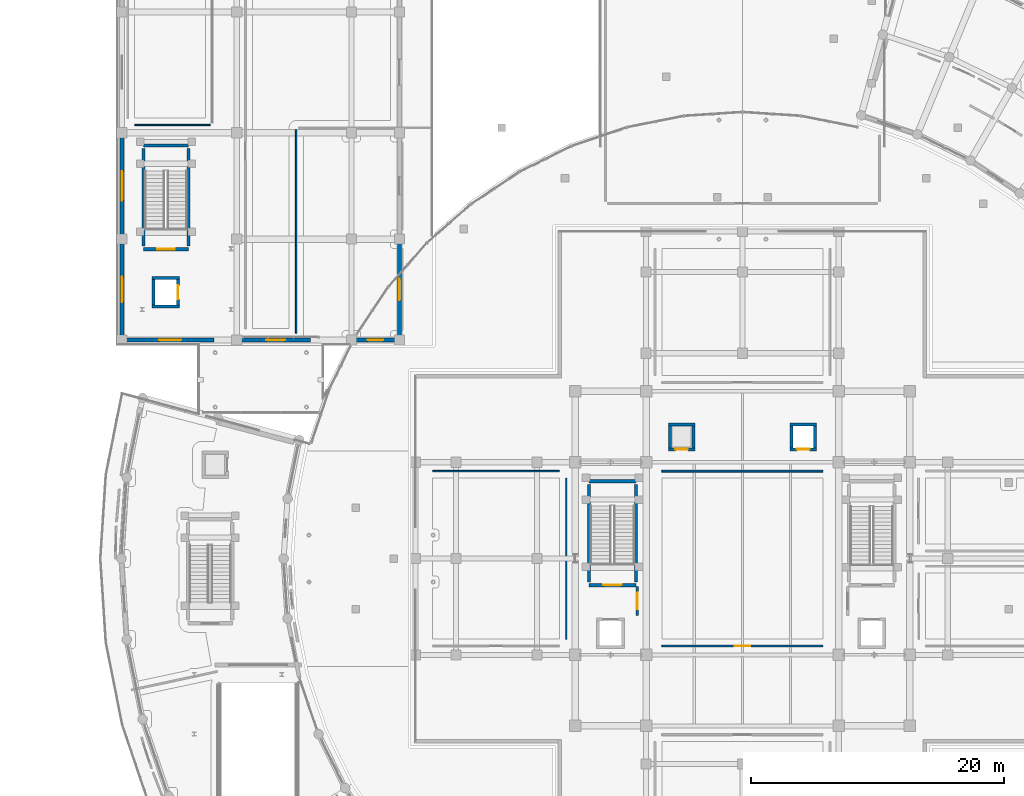
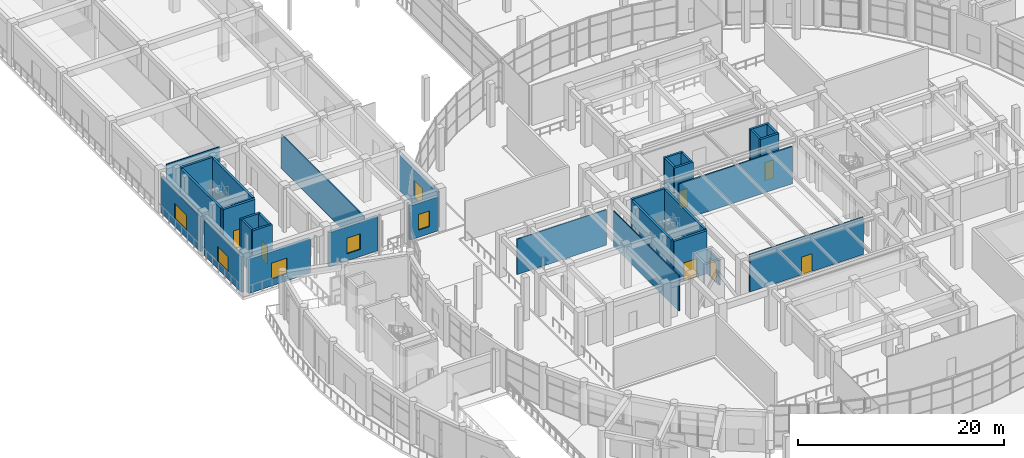
# One storey, part 70 of 99: 33 walls, 7 doors, 6 windows, 13 openings.
"""IFC4 building model written with IfcOpenShell, lengths in metres."""

import ifcopenshell
import ifcopenshell.guid

model = None  # the IFC model being written
_history = None  # IfcOwnerHistory: only IFC2X3 demands one
_inside = {}  # id of a spatial element -> (the spatial element, [elements in it])
_under = {}  # id of a project, library or spatial element -> (it, [spatial elements below it])
_declared = {}  # id of a project -> (the project, [libraries it declares])
_typed = {}  # id of a type object -> (the type object, [elements of that type])
_made_of = {}  # id of a material, layer set ... -> (it, [elements and type objects made of it])


def new_model(schema):
    """Start an empty IFC model of exactly this schema.

    Asked for "IFC4X3", IfcOpenShell would pick the latest addendum, in which some entities
    have other attributes; the version numbers below select the first issue.
    IFC2X3 requires an IfcOwnerHistory on every rooted entity: one is made here for all.
    """
    global model, _history
    if schema == "IFC4X3":
        model = ifcopenshell.file(schema_version=(4, 3, 0, 0))
    else:
        model = ifcopenshell.file(schema=schema)
    _inside.clear()
    _under.clear()
    _declared.clear()
    _typed.clear()
    _made_of.clear()
    _history = None
    if model.schema == "IFC2X3":
        org = make("IfcOrganization", Name="unknown")
        user = make(
            "IfcPersonAndOrganization",
            ThePerson=make("IfcPerson", FamilyName="unknown"),
            TheOrganization=org,
        )
        app = make(
            "IfcApplication",
            ApplicationDeveloper=org,
            Version="unknown",
            ApplicationFullName="unknown",
            ApplicationIdentifier="unknown",
        )
        _history = make(
            "IfcOwnerHistory",
            OwningUser=user,
            OwningApplication=app,
            ChangeAction="ADDED",
            CreationDate=0,
        )
    return model


def make(cls, **values):
    """One entity of the class cls with the attributes given. An attribute that is None is left unset."""
    return model.create_entity(
        cls, **{name: value for name, value in values.items() if value is not None}
    )


def rooted(cls, **values):
    """An entity with a GlobalId (a new one), such as an element, a storey or a relation."""
    return make(cls, GlobalId=ifcopenshell.guid.new(), OwnerHistory=_history, **values)


def si_unit(unit_type, name, prefix=None):
    """IfcSIUnit, for example si_unit("LENGTHUNIT", "METRE", prefix="MILLI")."""
    return make("IfcSIUnit", UnitType=unit_type, Prefix=prefix, Name=name)


def assignment(units):
    """IfcUnitAssignment: the units of a project."""
    return None if units is None else make("IfcUnitAssignment", Units=units)


def point(xyz):
    """IfcCartesianPoint."""
    return None if xyz is None else make("IfcCartesianPoint", Coordinates=xyz)


def direction(xyz):
    """IfcDirection."""
    return None if xyz is None else make("IfcDirection", DirectionRatios=xyz)


def frame(location, z_axis=None, x_axis=None):
    """IfcAxis2Placement3D, a coordinate frame: its origin and axes. An axis left out is left unset."""
    return make(
        "IfcAxis2Placement3D",
        Location=point(location),
        Axis=direction(z_axis),
        RefDirection=direction(x_axis),
    )


def frame_2d(location, x_axis=None):
    """IfcAxis2Placement2D, a coordinate frame in the plane: its origin and x axis."""
    return make(
        "IfcAxis2Placement2D", Location=point(location), RefDirection=direction(x_axis)
    )


def origin():
    """The frame at (0, 0, 0) with its axes left unset."""
    return frame((0.0, 0.0, 0.0))


def place(relative_to, where):
    """IfcLocalPlacement: puts the frame where relative to a parent placement (None: the world)."""
    return make(
        "IfcLocalPlacement", PlacementRelTo=relative_to, RelativePlacement=where
    )


def context(
    kind, dimensions, precision=None, world=None, true_north=None, identifier=None
):
    """IfcGeometricRepresentationContext, for example the 3D "Model" context."""
    return make(
        "IfcGeometricRepresentationContext",
        ContextIdentifier=identifier,
        ContextType=kind,
        CoordinateSpaceDimension=dimensions,
        Precision=precision,
        WorldCoordinateSystem=world,
        TrueNorth=true_north,
    )


def subcontext(parent, identifier, kind, view, scale=None):
    """IfcGeometricRepresentationSubContext, for example "Body" below "Model"."""
    return make(
        "IfcGeometricRepresentationSubContext",
        ContextIdentifier=identifier,
        ContextType=kind,
        ParentContext=parent,
        TargetScale=scale,
        TargetView=view,
    )


def project(units=None, contexts=None):
    """IfcProject with its units and contexts."""
    return rooted(
        "IfcProject",
        Name="project",
        RepresentationContexts=contexts,
        UnitsInContext=assignment(units),
    )


def spatial(cls, under=None, at=None, **own):
    """A site, building, storey or space (cls), placed at a placement, below another one or the project."""
    s = rooted(cls, ObjectPlacement=at, **own)
    if under is not None:
        _under.setdefault(under.id(), (under, []))[1].append(s)
    return s


def profile(cls, at=None, kind="AREA", **sizes):
    """A parametric profile (cls). Its sizes go by their IFC names, for example OverallWidth=200.0."""
    return make(cls, ProfileType=kind, Position=at, **sizes)


def rectangle(**sizes):
    """IfcRectangleProfileDef."""
    return profile("IfcRectangleProfileDef", **sizes)


def extrude(swept, where, along, depth):
    """IfcExtrudedAreaSolid: the profile swept, set in the frame where, extruded along a direction by depth."""
    return make(
        "IfcExtrudedAreaSolid",
        SweptArea=swept,
        Position=where,
        ExtrudedDirection=direction(along),
        Depth=depth,
    )


def shape(context_of_items, identifier, shape_type, items):
    """IfcShapeRepresentation: the items that make up one representation, for example the "Body"."""
    return make(
        "IfcShapeRepresentation",
        ContextOfItems=context_of_items,
        RepresentationIdentifier=identifier,
        RepresentationType=shape_type,
        Items=items,
    )


def material(Name=None, Category=None):
    """IfcMaterial."""
    return make("IfcMaterial", Name=Name, Category=Category)


def layer(
    of_material, thickness, ventilated=None, Name=None, Category=None, Priority=None
):
    """IfcMaterialLayer: one layer of a wall or slab, of a material (None: an air gap)."""
    return make(
        "IfcMaterialLayer",
        Material=of_material,
        LayerThickness=thickness,
        IsVentilated=ventilated,
        Name=Name,
        Category=Category,
        Priority=Priority,
    )


def layer_set(layers, Name=None):
    """IfcMaterialLayerSet."""
    return make("IfcMaterialLayerSet", MaterialLayers=layers, LayerSetName=Name)


def made_of(thing, what):
    """Note that an element or type object is made of a material, layer set ...; save() writes the relation."""
    if what is not None:
        _made_of.setdefault(what.id(), (what, []))[1].append(thing)
    return thing


def type_object(cls, material=None, **own):
    """A type object (cls), such as IfcWallType, which elements share."""
    return made_of(rooted(cls, **own), material)


def element(
    cls,
    number,
    at=None,
    inside=None,
    cuts=None,
    type_object=None,
    material=None,
    context=None,
    identifier="Body",
    shape_type=None,
    held_by="IfcProductDefinitionShape",
    body=None,
    shapes=None,
    **own,
):
    """One element of the class cls, such as IfcWall. Its Tag is "e" and its number.

    at: its placement. inside: the storey or other place that contains it. cuts: it is an
    opening in that element (IfcRelVoidsElement). A single representation is given by context,
    identifier, shape_type and body (its items); several are given by shapes. held_by: the class
    of the entity that holds the representations. save() writes the other relations.
    """
    e = rooted(cls, Tag="e%d" % number, ObjectPlacement=at, **own)
    if body is not None:
        shapes = [shape(context, identifier, shape_type, body)]
    if shapes is not None:
        e.Representation = make(held_by, Representations=shapes)
    if inside is not None:
        _inside.setdefault(inside.id(), (inside, []))[1].append(e)
    if cuts is not None:
        rooted(
            "IfcRelVoidsElement", RelatingBuildingElement=cuts, RelatedOpeningElement=e
        )
    if type_object is not None:
        _typed.setdefault(type_object.id(), (type_object, []))[1].append(e)
    return made_of(e, material)


def fill(opening, filler):
    """IfcRelFillsElement: the door or window that sits in an opening."""
    return rooted(
        "IfcRelFillsElement",
        RelatingOpeningElement=opening,
        RelatedBuildingElement=filler,
    )


def aggregate(whole, parts):
    """IfcRelAggregates: a whole, such as a stair, and the parts it consists of."""
    return rooted("IfcRelAggregates", RelatingObject=whole, RelatedObjects=parts)


def save(model, path):
    """Write the relations noted so far, then the file.

    IfcRelAggregates (storeys below a building ...), IfcRelContainedInSpatialStructure (elements
    in a storey), IfcRelDefinesByType, IfcRelAssociatesMaterial and IfcRelDeclares: one each for
    every whole, place, type object, material and project.
    """
    for whole, parts in _under.values():
        aggregate(whole, parts)
    for where, things in _inside.values():
        rooted(
            "IfcRelContainedInSpatialStructure",
            RelatedElements=things,
            RelatingStructure=where,
        )
    for kind, things in _typed.values():
        rooted("IfcRelDefinesByType", RelatedObjects=things, RelatingType=kind)
    for what, things in _made_of.values():
        rooted("IfcRelAssociatesMaterial", RelatedObjects=things, RelatingMaterial=what)
    for by, libraries in _declared.values():
        rooted("IfcRelDeclares", RelatingContext=by, RelatedDefinitions=libraries)
    model.write(path)


model = new_model("IFC4")

# Units and contexts
model_context = context("Model", 3, precision=1e-05, world=origin(), true_north=direction((0.0, 1.0)))
body_context = subcontext(model_context, "Body", "Model", "MODEL_VIEW")
ifc_project = project(units=[si_unit("LENGTHUNIT", "METRE"), si_unit("AREAUNIT", "SQUARE_METRE"), si_unit("VOLUMEUNIT", "CUBIC_METRE"), si_unit("PLANEANGLEUNIT", "RADIAN"), si_unit("MASSUNIT", "GRAM", prefix="KILO")], contexts=[model_context])

# Site, building, storey
site_placement = place(None, origin())
site = spatial("IfcSite", under=ifc_project, at=site_placement, CompositionType="ELEMENT")
building_placement = place(site_placement, origin())
building = spatial("IfcBuilding", under=site, at=building_placement, Name="Saryqyr Civic Hall", CompositionType="ELEMENT")
storey_placement = place(building_placement, origin())
storey = spatial("IfcBuildingStorey", under=building, at=storey_placement, Name="L00", CompositionType="ELEMENT", Elevation=0.0)

# Wall, opening, window
ifc_material_1 = material(Name="Precast concrete C40/50", Category="concrete")
ifc_layer_1 = layer(ifc_material_1, 0.31005859375, Name="Precast concrete C40/50")
ifc_layer_set_1 = layer_set([ifc_layer_1], Name="Precast concrete C40/50")
wall_type_1 = type_object("IfcWallType", Name="ENV-WAL-EXT-310", PredefinedType="STANDARD", material=ifc_layer_set_1)
wall_1_placement = place(storey_placement, frame((29.614990234375, 101.25, 0.0), z_axis=(0.0, 0.0, 1.0), x_axis=(-1.0, 0.0, 0.0)))
wall_1 = element("IfcWall", 1, at=wall_1_placement, inside=storey, type_object=wall_type_1, Name="Exterior wall V3-EW-L00-0-0", PredefinedType="STANDARD", context=body_context, shape_type="SweptSolid", body=[
    extrude(rectangle(XDim=3.1298828125, YDim=0.31005859375, at=frame_2d((1.56494140625, 0.0))), origin(), (0.0, 0.0, 1.0), 4.044921875),
])
opening_1_placement = place(wall_1_placement, frame((0.93994140625, 0.0, 0.85009765625)))
opening_1 = element("IfcOpeningElement", 2, at=opening_1_placement, cuts=wall_1, Name="Opening W-25", PredefinedType="OPENING", context=body_context, shape_type="SweptSolid", body=[
    extrude(rectangle(XDim=1.25, YDim=1.85009765625, at=frame_2d((0.625, 0.925048828125))), frame((0.0, 0.1650390625, 0.0), z_axis=(0.0, -1.0, 0.0), x_axis=(1.0, 0.0, 0.0)), (0.0, 0.0, 1.0), 0.330078125),
])
ifc_material_2 = material(Name="Anodised aluminium and triple low-E glass", Category="aluminium")
window_type_1 = type_object("IfcWindowType", Name="ENV-WIN-W25", PartitioningType="SINGLE_PANEL", PredefinedType="WINDOW", material=ifc_material_2)
window_1_placement = place(opening_1_placement, origin())
window_1 = element("IfcWindow", 3, at=window_1_placement, inside=storey, type_object=window_type_1, Name="Library window L00-0-0", OverallHeight=1.85009765625, OverallWidth=1.25, PartitioningType="SINGLE_PANEL", PredefinedType="WINDOW", context=body_context, shape_type="SweptSolid", body=[
    extrude(rectangle(XDim=1.25, YDim=1.85009765625, at=frame_2d((0.625, 0.925048828125))), frame((0.0, 0.030029296875, 0.0), z_axis=(0.0, -1.0, 0.0), x_axis=(1.0, 0.0, 0.0)), (0.0, 0.0, 1.0), 0.06005859375),
])
fill(opening_1, window_1)

wall_2_placement = place(storey_placement, frame((22.919921875, 101.25, 0.0), z_axis=(0.0, 0.0, 1.0), x_axis=(-1.0, 0.0, 0.0)))
wall_2 = element("IfcWall", 4, at=wall_2_placement, inside=storey, type_object=wall_type_1, Name="Exterior wall V3-EW-L00-0-1", PredefinedType="STANDARD", context=body_context, shape_type="SweptSolid", body=[
    extrude(rectangle(XDim=5.48486328125, YDim=0.31005859375, at=frame_2d((2.742431640625, 0.0))), origin(), (0.0, 0.0, 1.0), 4.044921875),
])
opening_2_placement = place(wall_2_placement, frame((1.992919921875, 0.0, 0.85009765625)))
opening_2 = element("IfcOpeningElement", 5, at=opening_2_placement, cuts=wall_2, Name="Opening W-26", PredefinedType="OPENING", context=body_context, shape_type="SweptSolid", body=[
    extrude(rectangle(XDim=1.5, YDim=1.85009765625, at=frame_2d((0.75, 0.925048828125))), frame((0.0, 0.1650390625, 0.0), z_axis=(0.0, -1.0, 0.0), x_axis=(1.0, 0.0, 0.0)), (0.0, 0.0, 1.0), 0.330078125),
])
window_type_2 = type_object("IfcWindowType", Name="ENV-WIN-W26", PartitioningType="SINGLE_PANEL", PredefinedType="WINDOW", material=ifc_material_2)
window_2_placement = place(opening_2_placement, origin())
window_2 = element("IfcWindow", 6, at=window_2_placement, inside=storey, type_object=window_type_2, Name="Library window L00-0-1", OverallHeight=1.85009765625, OverallWidth=1.5, PartitioningType="SINGLE_PANEL", PredefinedType="WINDOW", context=body_context, shape_type="SweptSolid", body=[
    extrude(rectangle(XDim=1.5, YDim=1.85009765625, at=frame_2d((0.75, 0.925048828125))), frame((0.0, 0.030029296875, 0.0), z_axis=(0.0, -1.0, 0.0), x_axis=(1.0, 0.0, 0.0)), (0.0, 0.0, 1.0), 0.06005859375),
])
fill(opening_2, window_2)

wall_3_placement = place(storey_placement, frame((15.320068359375, 101.25, 0.0), z_axis=(0.0, 0.0, 1.0), x_axis=(-1.0, 0.0, 0.0)))
wall_3 = element("IfcWall", 7, at=wall_3_placement, inside=storey, type_object=wall_type_1, Name="Exterior wall V3-EW-L00-0-2", PredefinedType="STANDARD", context=body_context, shape_type="SweptSolid", body=[
    extrude(rectangle(XDim=6.93505859375, YDim=0.31005859375, at=frame_2d((3.467529296875, 0.0))), origin(), (0.0, 0.0, 1.0), 4.044921875),
])
opening_3_placement = place(wall_3_placement, frame((2.593017578125, 0.0, 0.85009765625)))
opening_3 = element("IfcOpeningElement", 8, at=opening_3_placement, cuts=wall_3, Name="Opening W-27", PredefinedType="OPENING", context=body_context, shape_type="SweptSolid", body=[
    extrude(rectangle(XDim=1.75, YDim=1.85009765625, at=frame_2d((0.875, 0.925048828125))), frame((0.0, 0.1650390625, 0.0), z_axis=(0.0, -1.0, 0.0), x_axis=(1.0, 0.0, 0.0)), (0.0, 0.0, 1.0), 0.330078125),
])
window_type_3 = type_object("IfcWindowType", Name="ENV-WIN-W27", PartitioningType="SINGLE_PANEL", PredefinedType="WINDOW", material=ifc_material_2)
window_3_placement = place(opening_3_placement, origin())
window_3 = element("IfcWindow", 9, at=window_3_placement, inside=storey, type_object=window_type_3, Name="Library window L00-0-2", OverallHeight=1.85009765625, OverallWidth=1.75, PartitioningType="SINGLE_PANEL", PredefinedType="WINDOW", context=body_context, shape_type="SweptSolid", body=[
    extrude(rectangle(XDim=1.75, YDim=1.85009765625, at=frame_2d((0.875, 0.925048828125))), frame((0.0, 0.030029296875, 0.0), z_axis=(0.0, -1.0, 0.0), x_axis=(1.0, 0.0, 0.0)), (0.0, 0.0, 1.0), 0.06005859375),
])
fill(opening_3, window_3)

wall_4_placement = place(storey_placement, frame((29.949951171875, 108.864990234375, 0.0), z_axis=(0.0, 0.0, 1.0), x_axis=(0.0, -1.0, 0.0)))
wall_4 = element("IfcWall", 10, at=wall_4_placement, inside=storey, type_object=wall_type_1, Name="Exterior wall V3-EW-L00-1-6", PredefinedType="STANDARD", context=body_context, shape_type="SweptSolid", body=[
    extrude(rectangle(XDim=7.280029296875, YDim=0.31005859375, at=frame_2d((3.64013671875, 0.0))), origin(), (0.0, 0.0, 1.0), 4.195068359375),
])
opening_4_placement = place(wall_4_placement, frame((2.7900390625, 0.0, 0.85009765625)))
opening_4 = element("IfcOpeningElement", 11, at=opening_4_placement, cuts=wall_4, Name="Opening W-32", PredefinedType="OPENING", context=body_context, shape_type="SweptSolid", body=[
    extrude(rectangle(XDim=1.699951171875, YDim=2.050048828125, at=frame_2d((0.85009765625, 1.02490234375))), frame((0.0, 0.1650390625, 0.0), z_axis=(0.0, -1.0, 0.0), x_axis=(1.0, 0.0, 0.0)), (0.0, 0.0, 1.0), 0.330078125),
])
window_type_4 = type_object("IfcWindowType", Name="ENV-WIN-W32", PartitioningType="SINGLE_PANEL", PredefinedType="WINDOW", material=ifc_material_2)
window_4_placement = place(opening_4_placement, origin())
window_4 = element("IfcWindow", 12, at=window_4_placement, inside=storey, type_object=window_type_4, Name="Library window L00-1-6", OverallHeight=2.050048828125, OverallWidth=1.699951171875, PartitioningType="SINGLE_PANEL", PredefinedType="WINDOW", context=body_context, shape_type="SweptSolid", body=[
    extrude(rectangle(XDim=1.699951171875, YDim=2.050048828125, at=frame_2d((0.85009765625, 1.02490234375))), frame((0.0, 0.030029296875, 0.0), z_axis=(0.0, -1.0, 0.0), x_axis=(1.0, 0.0, 0.0)), (0.0, 0.0, 1.0), 0.06005859375),
])
fill(opening_4, window_4)

wall_5_placement = place(storey_placement, frame((8.050048828125, 101.5849609375, 0.0), z_axis=(0.0, 0.0, 1.0), x_axis=(0.0, 1.0, 0.0)))
wall_5 = element("IfcWall", 13, at=wall_5_placement, inside=storey, type_object=wall_type_1, Name="Exterior wall V3-EW-L00-3-0", PredefinedType="STANDARD", context=body_context, shape_type="SweptSolid", body=[
    extrude(rectangle(XDim=7.280029296875, YDim=0.31005859375, at=frame_2d((3.64013671875, 0.0))), origin(), (0.0, 0.0, 1.0), 4.195068359375),
])
opening_5_placement = place(wall_5_placement, frame((2.639892578125, 0.0, 0.85009765625)))
opening_5 = element("IfcOpeningElement", 14, at=opening_5_placement, cuts=wall_5, Name="Opening W-28", PredefinedType="OPENING", context=body_context, shape_type="SweptSolid", body=[
    extrude(rectangle(XDim=2.0, YDim=1.85009765625, at=frame_2d((1.0, 0.925048828125))), frame((0.0, 0.1650390625, 0.0), z_axis=(0.0, -1.0, 0.0), x_axis=(1.0, 0.0, 0.0)), (0.0, 0.0, 1.0), 0.330078125),
])
window_type_5 = type_object("IfcWindowType", Name="ENV-WIN-W28", PartitioningType="SINGLE_PANEL", PredefinedType="WINDOW", material=ifc_material_2)
window_5_placement = place(opening_5_placement, origin())
window_5 = element("IfcWindow", 15, at=window_5_placement, inside=storey, type_object=window_type_5, Name="Library window L00-3-0", OverallHeight=1.85009765625, OverallWidth=2.0, PartitioningType="SINGLE_PANEL", PredefinedType="WINDOW", context=body_context, shape_type="SweptSolid", body=[
    extrude(rectangle(XDim=2.0, YDim=1.85009765625, at=frame_2d((1.0, 0.925048828125))), frame((0.0, 0.030029296875, 0.0), z_axis=(0.0, -1.0, 0.0), x_axis=(1.0, 0.0, 0.0)), (0.0, 0.0, 1.0), 0.06005859375),
])
fill(opening_5, window_5)

wall_6_placement = place(storey_placement, frame((8.050048828125, 109.534912109375, 0.0), z_axis=(0.0, 0.0, 1.0), x_axis=(0.0, 1.0, 0.0)))
wall_6 = element("IfcWall", 16, at=wall_6_placement, inside=storey, type_object=wall_type_1, Name="Exterior wall V3-EW-L00-3-1", PredefinedType="STANDARD", context=body_context, shape_type="SweptSolid", body=[
    extrude(rectangle(XDim=7.72998046875, YDim=0.31005859375, at=frame_2d((3.864990234375, 0.0))), origin(), (0.0, 0.0, 1.0), 4.195068359375),
])
opening_6_placement = place(wall_6_placement, frame((2.715087890625, 0.0, 0.85009765625)))
opening_6 = element("IfcOpeningElement", 17, at=opening_6_placement, cuts=wall_6, Name="Opening W-29", PredefinedType="OPENING", context=body_context, shape_type="SweptSolid", body=[
    extrude(rectangle(XDim=2.300048828125, YDim=1.85009765625, at=frame_2d((1.14990234375, 0.925048828125))), frame((0.0, 0.1650390625, 0.0), z_axis=(0.0, -1.0, 0.0), x_axis=(1.0, 0.0, 0.0)), (0.0, 0.0, 1.0), 0.330078125),
])
window_type_6 = type_object("IfcWindowType", Name="ENV-WIN-W29", PartitioningType="SINGLE_PANEL", PredefinedType="WINDOW", material=ifc_material_2)
window_6_placement = place(opening_6_placement, origin())
window_6 = element("IfcWindow", 18, at=window_6_placement, inside=storey, type_object=window_type_6, Name="Library window L00-3-1", OverallHeight=1.85009765625, OverallWidth=2.300048828125, PartitioningType="SINGLE_PANEL", PredefinedType="WINDOW", context=body_context, shape_type="SweptSolid", body=[
    extrude(rectangle(XDim=2.300048828125, YDim=1.85009765625, at=frame_2d((1.14990234375, 0.925048828125))), frame((0.0, 0.030029296875, 0.0), z_axis=(0.0, -1.0, 0.0), x_axis=(1.0, 0.0, 0.0)), (0.0, 0.0, 1.0), 0.06005859375),
])
fill(opening_6, window_6)

# Wall, opening, door
ifc_material_3 = material(Name="Autoclaved aerated concrete blockwork", Category="masonry")
ifc_layer_2 = layer(ifc_material_3, 0.199951171875, Name="Autoclaved aerated concrete blockwork")
ifc_layer_set_2 = layer_set([ifc_layer_2], Name="Autoclaved aerated concrete blockwork")
wall_type_2 = type_object("IfcWallType", Name="INT-WAL-FIR-200", PredefinedType="PARTITIONING", material=ifc_layer_set_2)
wall_7_placement = place(storey_placement, frame((48.699951171875, 81.800048828125, 0.0), z_axis=(0.0, 0.0, 1.0), x_axis=(0.0, -1.0, 0.0)))
wall_7 = element("IfcWall", 19, at=wall_7_placement, inside=storey, type_object=wall_type_2, Name="Firefighting lift lobby enclosure wall LF-01 L00", PredefinedType="PARTITIONING", context=body_context, shape_type="SweptSolid", body=[
    extrude(rectangle(XDim=2.300048828125, YDim=0.199951171875, at=frame_2d((1.14990234375, 0.0))), origin(), (0.0, 0.0, 1.0), 2.89990234375),
])
opening_7_placement = place(wall_7_placement, frame((0.5, 0.0, 0.0)))
opening_7 = element("IfcOpeningElement", 20, at=opening_7_placement, cuts=wall_7, Name="Opening FD-01", PredefinedType="OPENING", context=body_context, shape_type="SweptSolid", body=[
    extrude(rectangle(XDim=1.300048828125, YDim=2.199951171875, at=frame_2d((0.64990234375, 1.10009765625))), frame((0.0, 0.10986328125, 0.0), z_axis=(0.0, -1.0, 0.0), x_axis=(1.0, 0.0, 0.0)), (0.0, 0.0, 1.0), 0.219970703125),
])
ifc_material_4 = material(Name="Painted galvanized steel", Category="steel")
door_type_1 = type_object("IfcDoorType", Name="INT-DR-FFLOB-1300x2200", OperationType="NOTDEFINED", PredefinedType="DOOR", material=ifc_material_4)
door_1_placement = place(opening_7_placement, origin())
door_1 = element("IfcDoor", 21, at=door_1_placement, inside=storey, type_object=door_type_1, Name="Firefighting lift lobby smoke-control door LF-01 L00", OperationType="SINGLE_SWING_RIGHT", OverallHeight=2.199951171875, OverallWidth=1.300048828125, PredefinedType="DOOR", context=body_context, shape_type="SweptSolid", body=[
    extrude(rectangle(XDim=1.300048828125, YDim=2.199951171875, at=frame_2d((0.64990234375, 1.10009765625))), frame((0.0, 0.02490234375, 0.0), z_axis=(0.0, -1.0, 0.0), x_axis=(1.0, 0.0, 0.0)), (0.0, 0.0, 1.0), 0.050048828125),
])
fill(opening_7, door_1)

# Walls
ifc_material_5 = material(Name="Lightweight demountable partition", Category="gypsum")
ifc_layer_3 = layer(ifc_material_5, 0.094970703125, Name="Lightweight demountable partition")
ifc_layer_set_3 = layer_set([ifc_layer_3], Name="Lightweight demountable partition")
wall_type_3 = type_object("IfcWallType", Name="INT-WAL-PRT-095", PredefinedType="PARTITIONING", material=ifc_layer_set_3)
wall_8_placement = place(storey_placement, frame((15.0, 118.199951171875, 0.0), z_axis=(0.0, 0.0, 1.0), x_axis=(-1.0, 0.0, 0.0)))
element("IfcWall", 22, at=wall_8_placement, inside=storey, type_object=wall_type_3, Name="Interior partition PRT-SP-V3-L00-R03-W3", PredefinedType="PARTITIONING", context=body_context, shape_type="SweptSolid", body=[
    extrude(rectangle(XDim=5.949951171875, YDim=0.094970703125, at=frame_2d((2.97509765625, 0.0))), origin(), (0.0, 0.0, 1.0), 4.72998046875),
])
ifc_material_6 = material(Name="Moisture-resistant gypsum partition", Category="gypsum")
ifc_layer_4 = layer(ifc_material_6, 0.110107421875, Name="Moisture-resistant gypsum partition")
ifc_layer_set_4 = layer_set([ifc_layer_4], Name="Moisture-resistant gypsum partition")
wall_type_4 = type_object("IfcWallType", Name="INT-WAL-PRT-110", PredefinedType="PARTITIONING", material=ifc_layer_set_4)
wall_9_placement = place(storey_placement, frame((43.10009765625, 90.35009765625, 0.0), z_axis=(0.0, 0.0, 1.0), x_axis=(0.0, -1.0, 0.0)))
element("IfcWall", 23, at=wall_9_placement, inside=storey, type_object=wall_type_4, Name="Interior partition PRT-SP-V1-L00-R04-W1", PredefinedType="PARTITIONING", context=body_context, shape_type="SweptSolid", body=[
    extrude(rectangle(XDim=12.7001953125, YDim=0.110107421875, at=frame_2d((6.35009765625, 0.0))), origin(), (0.0, 0.0, 1.0), 4.195068359375),
])
wall_10_placement = place(storey_placement, frame((32.550048828125, 90.89990234375, 0.0), z_axis=(0.0, 0.0, 1.0), x_axis=(1.0, 0.0, 0.0)))
element("IfcWall", 24, at=wall_10_placement, inside=storey, type_object=wall_type_4, Name="Interior partition PRT-SP-V1-L00-R04-W3", PredefinedType="PARTITIONING", context=body_context, shape_type="SweptSolid", body=[
    extrude(rectangle(XDim=10.0, YDim=0.110107421875, at=frame_2d((5.0, 0.0))), origin(), (0.0, 0.0, 1.0), 4.195068359375),
])
ifc_material_7 = material(Name="Metal-stud gypsum board partition", Category="gypsum")
ifc_layer_5 = layer(ifc_material_7, 0.125, Name="Metal-stud gypsum board partition")
ifc_layer_set_5 = layer_set([ifc_layer_5], Name="Metal-stud gypsum board partition")
wall_type_5 = type_object("IfcWallType", Name="INT-WAL-PRT-125", PredefinedType="PARTITIONING", material=ifc_layer_set_5)
wall_11_placement = place(storey_placement, frame((21.780029296875, 101.780029296875, 0.0), z_axis=(0.0, 0.0, 1.0), x_axis=(6.0861494e-05, 0.999999998148, 0.0)))
element("IfcWall", 25, at=wall_11_placement, inside=storey, type_object=wall_type_5, Name="Interior partition PRT-SP-V3-L00-R01-W2", PredefinedType="PARTITIONING", context=body_context, shape_type="SweptSolid", body=[
    extrude(rectangle(XDim=16.045654296875, YDim=0.125, at=frame_2d((8.02294921875, 0.0))), origin(), (0.0, 0.0, 1.0), 4.044921875),
])

# Wall, opening, door
ifc_material_8 = material(Name="Acoustic double-stud gypsum board", Category="gypsum")
ifc_layer_6 = layer(ifc_material_8, 0.155029296875, Name="Acoustic double-stud gypsum board")
ifc_layer_set_6 = layer_set([ifc_layer_6], Name="Acoustic double-stud gypsum board")
wall_type_6 = type_object("IfcWallType", Name="INT-WAL-PRT-155", PredefinedType="PARTITIONING", material=ifc_layer_set_6)
wall_12_placement = place(storey_placement, frame((63.35009765625, 77.10009765625, 0.0), z_axis=(0.0, 0.0, 1.0), x_axis=(-1.0, 0.0, 0.0)))
wall_12 = element("IfcWall", 26, at=wall_12_placement, inside=storey, type_object=wall_type_6, Name="Interior partition PRT-SP-V1-L00-R01-W1", PredefinedType="PARTITIONING", context=body_context, shape_type="SweptSolid", body=[
    extrude(rectangle(XDim=12.7001953125, YDim=0.155029296875, at=frame_2d((6.35009765625, 0.0))), origin(), (0.0, 0.0, 1.0), 4.39501953125),
])
opening_8_placement = place(wall_12_placement, frame((5.75, 0.0, 0.0)))
opening_8 = element("IfcOpeningElement", 27, at=opening_8_placement, cuts=wall_12, Name="Opening D-06", PredefinedType="OPENING", context=body_context, shape_type="SweptSolid", body=[
    extrude(rectangle(XDim=1.199951171875, YDim=2.10009765625, at=frame_2d((0.60009765625, 1.050048828125))), frame((0.0, 0.08740234375, 0.0), z_axis=(0.0, -1.0, 0.0), x_axis=(1.0, 0.0, 0.0)), (0.0, 0.0, 1.0), 0.175048828125),
])
ifc_material_9 = material(Name="Acoustic solid-core oak veneer", Category="wood")
door_type_2 = type_object("IfcDoorType", Name="INT-DR-D-06", OperationType="NOTDEFINED", PredefinedType="DOOR", material=ifc_material_9)
door_2_placement = place(opening_8_placement, origin())
door_2 = element("IfcDoor", 28, at=door_2_placement, inside=storey, type_object=door_type_2, Name="Interior door Grand Civic Rotunda and Chamber Lower Foyer", OperationType="SINGLE_SWING_RIGHT", OverallHeight=2.10009765625, OverallWidth=1.199951171875, PredefinedType="DOOR", context=body_context, shape_type="SweptSolid", body=[
    extrude(rectangle(XDim=1.199951171875, YDim=2.10009765625, at=frame_2d((0.60009765625, 1.050048828125))), frame((0.0, 0.02490234375, 0.0), z_axis=(0.0, -1.0, 0.0), x_axis=(1.0, 0.0, 0.0)), (0.0, 0.0, 1.0), 0.050048828125),
])
fill(opening_8, door_2)

# Wall
wall_13_placement = place(storey_placement, frame((50.64990234375, 90.89990234375, 0.0), z_axis=(0.0, 0.0, 1.0), x_axis=(1.0, 0.0, 0.0)))
element("IfcWall", 29, at=wall_13_placement, inside=storey, type_object=wall_type_6, Name="Interior partition PRT-SP-V1-L00-R01-W2", PredefinedType="PARTITIONING", context=body_context, shape_type="SweptSolid", body=[
    extrude(rectangle(XDim=12.7001953125, YDim=0.155029296875, at=frame_2d((6.35009765625, 0.0))), origin(), (0.0, 0.0, 1.0), 4.39501953125),
])

# Wall, opening, door
ifc_material_10 = material(Name="Concrete C40/50", Category="concrete")
ifc_layer_7 = layer(ifc_material_10, 0.239990234375, Name="Concrete C40/50")
ifc_layer_set_7 = layer_set([ifc_layer_7], Name="Concrete C40/50")
wall_type_7 = type_object("IfcWallType", Name="INT-WAL-SHR-240", PredefinedType="SHEAR", material=ifc_layer_set_7)
wall_14_placement = place(storey_placement, frame((53.25, 92.6201171875, 0.0), z_axis=(0.0, 0.0, 1.0), x_axis=(-1.0, 0.0, 0.0)))
wall_14 = element("IfcWall", 30, at=wall_14_placement, inside=storey, type_object=wall_type_7, Name="Lift shaft shear wall LF-03-SHW-S-L00", PredefinedType="SHEAR", context=body_context, shape_type="SweptSolid", body=[
    extrude(rectangle(XDim=2.10009765625, YDim=0.239990234375, at=frame_2d((1.050048828125, 0.0))), origin(), (0.0, 0.0, 1.0), 5.10009765625),
])
opening_9_placement = place(wall_14_placement, frame((0.550048828125, 0.0, 0.0)))
opening_9 = element("IfcOpeningElement", 31, at=opening_9_placement, cuts=wall_14, Name="Opening LD-02", PredefinedType="OPENING", context=body_context, shape_type="SweptSolid", body=[
    extrude(rectangle(XDim=1.0, YDim=2.14990234375, at=frame_2d((0.5, 1.074951171875))), frame((0.0, 0.1298828125, 0.0), z_axis=(0.0, -1.0, 0.0), x_axis=(1.0, 0.0, 0.0)), (0.0, 0.0, 1.0), 0.260009765625),
])
ifc_material_11 = material(Name="Brushed stainless steel", Category="steel")
door_type_3 = type_object("IfcDoorType", Name="INT-DR-LD-1000x2150", OperationType="NOTDEFINED", PredefinedType="DOOR", material=ifc_material_11)
door_3_placement = place(opening_9_placement, origin())
door_3 = element("IfcDoor", 32, at=door_3_placement, inside=storey, type_object=door_type_3, Name="Lift sliding landing door LF-03 L00", OperationType="SLIDING_TO_LEFT", OverallHeight=2.14990234375, OverallWidth=1.0, PredefinedType="DOOR", context=body_context, shape_type="SweptSolid", body=[
    extrude(rectangle(XDim=1.0, YDim=2.14990234375, at=frame_2d((0.5, 1.074951171875))), frame((0.0, 0.02490234375, 0.0), z_axis=(0.0, -1.0, 0.0), x_axis=(1.0, 0.0, 0.0)), (0.0, 0.0, 1.0), 0.050048828125),
])
fill(opening_9, door_3)

# Walls
wall_15_placement = place(storey_placement, frame((53.1298828125, 94.4599609375, 0.0), z_axis=(0.0, 0.0, 1.0), x_axis=(0.0, -1.0, 0.0)))
element("IfcWall", 33, at=wall_15_placement, inside=storey, type_object=wall_type_7, Name="Lift shaft shear wall LF-03-SHW-E-L00", PredefinedType="SHEAR", context=body_context, shape_type="SweptSolid", body=[
    extrude(rectangle(XDim=1.719970703125, YDim=0.239990234375, at=frame_2d((0.85986328125, 0.0))), origin(), (0.0, 0.0, 1.0), 5.10009765625),
])
wall_16_placement = place(storey_placement, frame((51.14990234375, 94.580078125, 0.0), z_axis=(0.0, 0.0, 1.0), x_axis=(1.0, 0.0, 0.0)))
element("IfcWall", 34, at=wall_16_placement, inside=storey, type_object=wall_type_7, Name="Lift shaft shear wall LF-03-SHW-N-L00", PredefinedType="SHEAR", context=body_context, shape_type="SweptSolid", body=[
    extrude(rectangle(XDim=2.10009765625, YDim=0.239990234375, at=frame_2d((1.050048828125, 0.0))), origin(), (0.0, 0.0, 1.0), 5.10009765625),
])
wall_17_placement = place(storey_placement, frame((51.27001953125, 92.739990234375, 0.0), z_axis=(0.0, 0.0, 1.0), x_axis=(0.0, 1.0, 0.0)))
element("IfcWall", 35, at=wall_17_placement, inside=storey, type_object=wall_type_7, Name="Lift shaft shear wall LF-03-SHW-W-L00", PredefinedType="SHEAR", context=body_context, shape_type="SweptSolid", body=[
    extrude(rectangle(XDim=1.719970703125, YDim=0.239990234375, at=frame_2d((0.85986328125, 0.0))), origin(), (0.0, 0.0, 1.0), 5.10009765625),
])

# Wall, opening, door
wall_18_placement = place(storey_placement, frame((62.85009765625, 92.6201171875, 0.0), z_axis=(0.0, 0.0, 1.0), x_axis=(-1.0, 0.0, 0.0)))
wall_18 = element("IfcWall", 36, at=wall_18_placement, inside=storey, type_object=wall_type_7, Name="Lift shaft shear wall LF-04-SHW-S-L00", PredefinedType="SHEAR", context=body_context, shape_type="SweptSolid", body=[
    extrude(rectangle(XDim=2.10009765625, YDim=0.239990234375, at=frame_2d((1.050048828125, 0.0))), origin(), (0.0, 0.0, 1.0), 5.10009765625),
])
opening_10_placement = place(wall_18_placement, frame((0.550048828125, 0.0, 0.0)))
opening_10 = element("IfcOpeningElement", 37, at=opening_10_placement, cuts=wall_18, Name="Opening LD-02", PredefinedType="OPENING", context=body_context, shape_type="SweptSolid", body=[
    extrude(rectangle(XDim=1.0, YDim=2.14990234375, at=frame_2d((0.5, 1.074951171875))), frame((0.0, 0.1298828125, 0.0), z_axis=(0.0, -1.0, 0.0), x_axis=(1.0, 0.0, 0.0)), (0.0, 0.0, 1.0), 0.260009765625),
])
door_4_placement = place(opening_10_placement, origin())
door_4 = element("IfcDoor", 38, at=door_4_placement, inside=storey, type_object=door_type_3, Name="Lift sliding landing door LF-04 L00", OperationType="SLIDING_TO_RIGHT", OverallHeight=2.14990234375, OverallWidth=1.0, PredefinedType="DOOR", context=body_context, shape_type="SweptSolid", body=[
    extrude(rectangle(XDim=1.0, YDim=2.14990234375, at=frame_2d((0.5, 1.074951171875))), frame((0.0, 0.02490234375, 0.0), z_axis=(0.0, -1.0, 0.0), x_axis=(1.0, 0.0, 0.0)), (0.0, 0.0, 1.0), 0.050048828125),
])
fill(opening_10, door_4)

# Walls
wall_19_placement = place(storey_placement, frame((62.72998046875, 94.4599609375, 0.0), z_axis=(0.0, 0.0, 1.0), x_axis=(0.0, -1.0, 0.0)))
element("IfcWall", 39, at=wall_19_placement, inside=storey, type_object=wall_type_7, Name="Lift shaft shear wall LF-04-SHW-E-L00", PredefinedType="SHEAR", context=body_context, shape_type="SweptSolid", body=[
    extrude(rectangle(XDim=1.719970703125, YDim=0.239990234375, at=frame_2d((0.85986328125, 0.0))), origin(), (0.0, 0.0, 1.0), 5.10009765625),
])
wall_20_placement = place(storey_placement, frame((60.75, 94.580078125, 0.0), z_axis=(0.0, 0.0, 1.0), x_axis=(1.0, 0.0, 0.0)))
element("IfcWall", 40, at=wall_20_placement, inside=storey, type_object=wall_type_7, Name="Lift shaft shear wall LF-04-SHW-N-L00", PredefinedType="SHEAR", context=body_context, shape_type="SweptSolid", body=[
    extrude(rectangle(XDim=2.10009765625, YDim=0.239990234375, at=frame_2d((1.050048828125, 0.0))), origin(), (0.0, 0.0, 1.0), 5.10009765625),
])
wall_21_placement = place(storey_placement, frame((60.8701171875, 92.739990234375, 0.0), z_axis=(0.0, 0.0, 1.0), x_axis=(0.0, 1.0, 0.0)))
element("IfcWall", 41, at=wall_21_placement, inside=storey, type_object=wall_type_7, Name="Lift shaft shear wall LF-04-SHW-W-L00", PredefinedType="SHEAR", context=body_context, shape_type="SweptSolid", body=[
    extrude(rectangle(XDim=1.719970703125, YDim=0.239990234375, at=frame_2d((0.85986328125, 0.0))), origin(), (0.0, 0.0, 1.0), 5.10009765625),
])
wall_22_placement = place(storey_placement, frame((12.60009765625, 103.8701171875, 0.0), z_axis=(0.0, 0.0, 1.0), x_axis=(-1.0, 0.0, 0.0)))
element("IfcWall", 42, at=wall_22_placement, inside=storey, type_object=wall_type_7, Name="Lift shaft shear wall LF-05-SHW-S-L00", PredefinedType="SHEAR", context=body_context, shape_type="SweptSolid", body=[
    extrude(rectangle(XDim=2.2001953125, YDim=0.239990234375, at=frame_2d((1.10009765625, 0.0))), origin(), (0.0, 0.0, 1.0), 5.10009765625),
])

# Wall, opening, door
wall_23_placement = place(storey_placement, frame((12.47998046875, 106.010009765625, 0.0), z_axis=(0.0, 0.0, 1.0), x_axis=(0.0, -1.0, 0.0)))
wall_23 = element("IfcWall", 43, at=wall_23_placement, inside=storey, type_object=wall_type_7, Name="Lift shaft shear wall LF-05-SHW-E-L00", PredefinedType="SHEAR", context=body_context, shape_type="SweptSolid", body=[
    extrude(rectangle(XDim=2.02001953125, YDim=0.239990234375, at=frame_2d((1.010009765625, 0.0))), origin(), (0.0, 0.0, 1.0), 5.10009765625),
])
opening_11_placement = place(wall_23_placement, frame((0.4599609375, 0.0, 0.0)))
opening_11 = element("IfcOpeningElement", 44, at=opening_11_placement, cuts=wall_23, Name="Opening LD-01", PredefinedType="OPENING", context=body_context, shape_type="SweptSolid", body=[
    extrude(rectangle(XDim=1.10009765625, YDim=2.14990234375, at=frame_2d((0.550048828125, 1.074951171875))), frame((0.0, 0.1298828125, 0.0), z_axis=(0.0, -1.0, 0.0), x_axis=(1.0, 0.0, 0.0)), (0.0, 0.0, 1.0), 0.260009765625),
])
door_type_4 = type_object("IfcDoorType", Name="INT-DR-LD-1100x2150", OperationType="NOTDEFINED", PredefinedType="DOOR", material=ifc_material_11)
door_5_placement = place(opening_11_placement, origin())
door_5 = element("IfcDoor", 45, at=door_5_placement, inside=storey, type_object=door_type_4, Name="Lift sliding landing door LF-05 L00", OperationType="SLIDING_TO_LEFT", OverallHeight=2.14990234375, OverallWidth=1.10009765625, PredefinedType="DOOR", context=body_context, shape_type="SweptSolid", body=[
    extrude(rectangle(XDim=1.10009765625, YDim=2.14990234375, at=frame_2d((0.550048828125, 1.074951171875))), frame((0.0, 0.02490234375, 0.0), z_axis=(0.0, -1.0, 0.0), x_axis=(1.0, 0.0, 0.0)), (0.0, 0.0, 1.0), 0.050048828125),
])
fill(opening_11, door_5)

# Walls
wall_24_placement = place(storey_placement, frame((10.39990234375, 106.1298828125, 0.0), z_axis=(0.0, 0.0, 1.0), x_axis=(1.0, 0.0, 0.0)))
element("IfcWall", 46, at=wall_24_placement, inside=storey, type_object=wall_type_7, Name="Lift shaft shear wall LF-05-SHW-N-L00", PredefinedType="SHEAR", context=body_context, shape_type="SweptSolid", body=[
    extrude(rectangle(XDim=2.2001953125, YDim=0.239990234375, at=frame_2d((1.10009765625, 0.0))), origin(), (0.0, 0.0, 1.0), 5.10009765625),
])
wall_25_placement = place(storey_placement, frame((10.52001953125, 103.989990234375, 0.0), z_axis=(0.0, 0.0, 1.0), x_axis=(0.0, 1.0, 0.0)))
element("IfcWall", 47, at=wall_25_placement, inside=storey, type_object=wall_type_7, Name="Lift shaft shear wall LF-05-SHW-W-L00", PredefinedType="SHEAR", context=body_context, shape_type="SweptSolid", body=[
    extrude(rectangle(XDim=2.02001953125, YDim=0.239990234375, at=frame_2d((1.010009765625, 0.0))), origin(), (0.0, 0.0, 1.0), 5.10009765625),
])

# Wall, opening, door
ifc_layer_8 = layer(ifc_material_10, 0.25, Name="Concrete C40/50")
ifc_layer_set_8 = layer_set([ifc_layer_8], Name="Concrete C40/50")
wall_type_8 = type_object("IfcWallType", Name="INT-WAL-SHR-250", PredefinedType="SHEAR", material=ifc_layer_set_8)
wall_26_placement = place(storey_placement, frame((48.60009765625, 81.89990234375, 0.0), z_axis=(0.0, 0.0, 1.0), x_axis=(-1.0, 0.0, 0.0)))
wall_26 = element("IfcWall", 48, at=wall_26_placement, inside=storey, type_object=wall_type_8, Name="Protected stair shaft wall ST-1-SW1-L00", PredefinedType="SHEAR", context=body_context, shape_type="SweptSolid", body=[
    extrude(rectangle(XDim=3.7001953125, YDim=0.25, at=frame_2d((1.85009765625, 0.0))), origin(), (0.0, 0.0, 1.0), 5.10009765625),
])
opening_12_placement = place(wall_26_placement, frame((1.125, 0.0, 0.0)))
opening_12 = element("IfcOpeningElement", 49, at=opening_12_placement, cuts=wall_26, Name="Opening SD-02", PredefinedType="OPENING", context=body_context, shape_type="SweptSolid", body=[
    extrude(rectangle(XDim=1.449951171875, YDim=2.199951171875, at=frame_2d((0.72509765625, 1.10009765625))), frame((0.0, 0.135009765625, 0.0), z_axis=(0.0, -1.0, 0.0), x_axis=(1.0, 0.0, 0.0)), (0.0, 0.0, 1.0), 0.27001953125),
])
door_type_5 = type_object("IfcDoorType", Name="INT-DR-STAIR-1450x2200", OperationType="NOTDEFINED", PredefinedType="DOOR", material=ifc_material_4)
door_6_placement = place(opening_12_placement, origin())
door_6 = element("IfcDoor", 50, at=door_6_placement, inside=storey, type_object=door_type_5, Name="Exit stair landing fire door ST-1-L00", OperationType="SINGLE_SWING_RIGHT", OverallHeight=2.199951171875, OverallWidth=1.449951171875, PredefinedType="DOOR", context=body_context, shape_type="SweptSolid", body=[
    extrude(rectangle(XDim=1.449951171875, YDim=2.199951171875, at=frame_2d((0.72509765625, 1.10009765625))), frame((0.0, 0.02490234375, 0.0), z_axis=(0.0, -1.0, 0.0), x_axis=(1.0, 0.0, 0.0)), (0.0, 0.0, 1.0), 0.050048828125),
])
fill(opening_12, door_6)

# Walls
wall_27_placement = place(storey_placement, frame((44.89990234375, 82.14990234375, 0.0), z_axis=(0.0, 0.0, 1.0), x_axis=(0.0, 1.0, 0.0)))
element("IfcWall", 51, at=wall_27_placement, inside=storey, type_object=wall_type_8, Name="Protected stair shaft wall ST-1-SW2-L00", PredefinedType="SHEAR", context=body_context, shape_type="SweptSolid", body=[
    extrude(rectangle(XDim=7.7001953125, YDim=0.25, at=frame_2d((3.85009765625, 0.0))), origin(), (0.0, 0.0, 1.0), 5.10009765625),
])
wall_28_placement = place(storey_placement, frame((44.89990234375, 90.10009765625, 0.0), z_axis=(0.0, 0.0, 1.0), x_axis=(1.0, 0.0, 0.0)))
element("IfcWall", 52, at=wall_28_placement, inside=storey, type_object=wall_type_8, Name="Protected stair shaft wall ST-1-SW3-L00", PredefinedType="SHEAR", context=body_context, shape_type="SweptSolid", body=[
    extrude(rectangle(XDim=3.7001953125, YDim=0.25, at=frame_2d((1.85009765625, 0.0))), origin(), (0.0, 0.0, 1.0), 5.10009765625),
])
wall_29_placement = place(storey_placement, frame((48.60009765625, 89.85009765625, 0.0), z_axis=(0.0, 0.0, 1.0), x_axis=(0.0, -1.0, 0.0)))
element("IfcWall", 53, at=wall_29_placement, inside=storey, type_object=wall_type_8, Name="Protected stair shaft wall ST-1-SW4-L00", PredefinedType="SHEAR", context=body_context, shape_type="SweptSolid", body=[
    extrude(rectangle(XDim=7.7001953125, YDim=0.25, at=frame_2d((3.85009765625, 0.0))), origin(), (0.0, 0.0, 1.0), 5.10009765625),
])

# Wall, opening, door
wall_30_placement = place(storey_placement, frame((13.300048828125, 108.39990234375, 0.0), z_axis=(0.0, 0.0, 1.0), x_axis=(-1.0, 0.0, 0.0)))
wall_30 = element("IfcWall", 54, at=wall_30_placement, inside=storey, type_object=wall_type_8, Name="Protected stair shaft wall ST-3-SW1-L00", PredefinedType="SHEAR", context=body_context, shape_type="SweptSolid", body=[
    extrude(rectangle(XDim=3.56005859375, YDim=0.25, at=frame_2d((1.780029296875, 0.0))), origin(), (0.0, 0.0, 1.0), 5.10009765625),
])
opening_13_placement = place(wall_30_placement, frame((1.10498046875, 0.0, 0.0)))
opening_13 = element("IfcOpeningElement", 55, at=opening_13_placement, cuts=wall_30, Name="Opening SD-01", PredefinedType="OPENING", context=body_context, shape_type="SweptSolid", body=[
    extrude(rectangle(XDim=1.35009765625, YDim=2.199951171875, at=frame_2d((0.675048828125, 1.10009765625))), frame((0.0, 0.135009765625, 0.0), z_axis=(0.0, -1.0, 0.0), x_axis=(1.0, 0.0, 0.0)), (0.0, 0.0, 1.0), 0.27001953125),
])
door_type_6 = type_object("IfcDoorType", Name="INT-DR-STAIR-1350x2200", OperationType="NOTDEFINED", PredefinedType="DOOR", material=ifc_material_4)
door_7_placement = place(opening_13_placement, origin())
door_7 = element("IfcDoor", 56, at=door_7_placement, inside=storey, type_object=door_type_6, Name="Exit stair landing fire door ST-3-L00", OperationType="SINGLE_SWING_RIGHT", OverallHeight=2.199951171875, OverallWidth=1.35009765625, PredefinedType="DOOR", context=body_context, shape_type="SweptSolid", body=[
    extrude(rectangle(XDim=1.35009765625, YDim=2.199951171875, at=frame_2d((0.675048828125, 1.10009765625))), frame((0.0, 0.02490234375, 0.0), z_axis=(0.0, -1.0, 0.0), x_axis=(1.0, 0.0, 0.0)), (0.0, 0.0, 1.0), 0.050048828125),
])
fill(opening_13, door_7)

# Walls
wall_31_placement = place(storey_placement, frame((9.739990234375, 108.64990234375, 0.0), z_axis=(0.0, 0.0, 1.0), x_axis=(0.0, 1.0, 0.0)))
element("IfcWall", 57, at=wall_31_placement, inside=storey, type_object=wall_type_8, Name="Protected stair shaft wall ST-3-SW2-L00", PredefinedType="SHEAR", context=body_context, shape_type="SweptSolid", body=[
    extrude(rectangle(XDim=7.7001953125, YDim=0.25, at=frame_2d((3.85009765625, 0.0))), origin(), (0.0, 0.0, 1.0), 5.10009765625),
])
wall_32_placement = place(storey_placement, frame((9.739990234375, 116.60009765625, 0.0), z_axis=(0.0, 0.0, 1.0), x_axis=(1.0, 0.0, 0.0)))
element("IfcWall", 58, at=wall_32_placement, inside=storey, type_object=wall_type_8, Name="Protected stair shaft wall ST-3-SW3-L00", PredefinedType="SHEAR", context=body_context, shape_type="SweptSolid", body=[
    extrude(rectangle(XDim=3.56005859375, YDim=0.25, at=frame_2d((1.780029296875, 0.0))), origin(), (0.0, 0.0, 1.0), 5.10009765625),
])
wall_33_placement = place(storey_placement, frame((13.300048828125, 116.35009765625, 0.0), z_axis=(0.0, 0.0, 1.0), x_axis=(0.0, -1.0, 0.0)))
element("IfcWall", 59, at=wall_33_placement, inside=storey, type_object=wall_type_8, Name="Protected stair shaft wall ST-3-SW4-L00", PredefinedType="SHEAR", context=body_context, shape_type="SweptSolid", body=[
    extrude(rectangle(XDim=7.7001953125, YDim=0.25, at=frame_2d((3.85009765625, 0.0))), origin(), (0.0, 0.0, 1.0), 5.10009765625),
])

save(model, "model.ifc")
